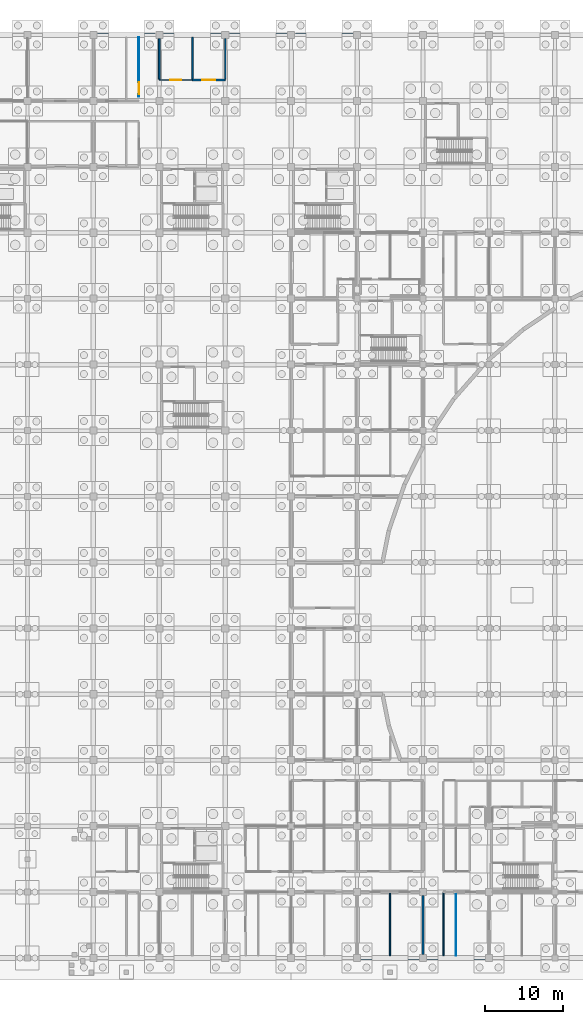
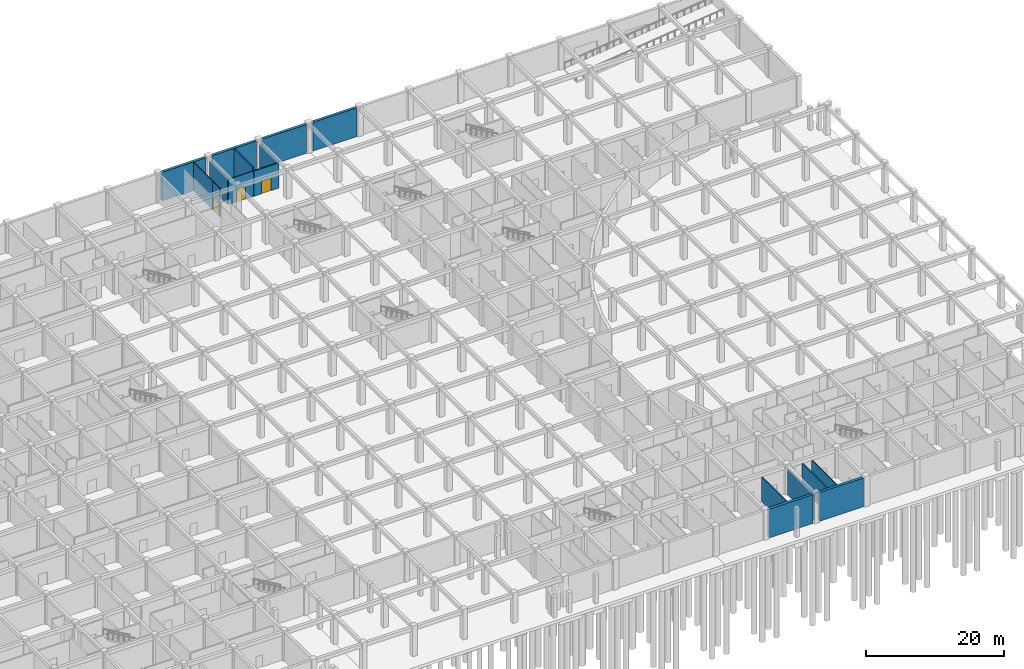
# One storey, part 44 of 65: 17 walls, 3 doors, 3 openings.
"""IFC4 building model written with IfcOpenShell, lengths in metres."""

from ifc_helpers import new_model, si_unit, direction, frame, frame_2d, origin, place, context, subcontext, project, spatial, rectangle, extrude, material, layer, layer_set, type_object, element, fill, save


model = new_model("IFC4")

# Units and contexts
model_context = context("Model", 3, precision=1e-05, world=origin(), true_north=direction((0.0, 1.0)))
body_context = subcontext(model_context, "Body", "Model", "MODEL_VIEW")
ifc_project = project(units=[si_unit("LENGTHUNIT", "METRE"), si_unit("AREAUNIT", "SQUARE_METRE"), si_unit("VOLUMEUNIT", "CUBIC_METRE"), si_unit("PLANEANGLEUNIT", "RADIAN"), si_unit("MASSUNIT", "GRAM", prefix="KILO")], contexts=[model_context])

# Site, building, storey
site_placement = place(None, origin())
site = spatial("IfcSite", under=ifc_project, at=site_placement, CompositionType="ELEMENT")
building_placement = place(site_placement, origin())
building = spatial("IfcBuilding", under=site, at=building_placement, Name="Bramfleet General Hospital", CompositionType="ELEMENT")
storey_placement = place(building_placement, frame((0.0, 0.0, -5.39990234375)))
storey = spatial("IfcBuildingStorey", under=building, at=storey_placement, Name="B1", CompositionType="ELEMENT", Elevation=-5.39990234375)

# Walls
ifc_material_1 = material(Name="Concrete C35/45", Category="concrete")
ifc_layer_1 = layer(ifc_material_1, 0.449951171875, Name="WT-EW-01")
ifc_layer_set_1 = layer_set([ifc_layer_1], Name="Concrete C35/45")
wall_type_1 = type_object("IfcWallType", Name="WT-EW-01", PredefinedType="SOLIDWALL", material=ifc_layer_set_1)
wall_1_placement = place(storey_placement, frame((92.925048828125, 117.60009765625, 0.0), z_axis=(0.0, 0.0, 1.0), x_axis=(1.0, 0.0, 0.0)))
element("IfcWall", 1, at=wall_1_placement, inside=storey, type_object=wall_type_1, Name="B1 Waterproof Retaining Wall 19", PredefinedType="SOLIDWALL", context=body_context, shape_type="SweptSolid", body=[
    extrude(rectangle(XDim=7.349853515625, YDim=0.449951171875, at=frame_2d((3.6748046875, 0.0))), origin(), (0.0, 0.0, 1.0), 5.079833984375),
])
wall_2_placement = place(storey_placement, frame((101.324951171875, 117.60009765625, 0.0), z_axis=(0.0, 0.0, 1.0), x_axis=(1.0, 0.0, 0.0)))
element("IfcWall", 2, at=wall_2_placement, inside=storey, type_object=wall_type_1, Name="B1 Waterproof Retaining Wall 20", PredefinedType="SOLIDWALL", context=body_context, shape_type="SweptSolid", body=[
    extrude(rectangle(XDim=7.35009765625, YDim=0.449951171875, at=frame_2d((3.675048828125, 0.0))), origin(), (0.0, 0.0, 1.0), 5.079833984375),
])
wall_3_placement = place(storey_placement, frame((109.72509765625, 117.60009765625, 0.0), z_axis=(0.0, 0.0, 1.0), x_axis=(1.0, 0.0, 0.0)))
element("IfcWall", 3, at=wall_3_placement, inside=storey, type_object=wall_type_1, Name="B1 Waterproof Retaining Wall 21", PredefinedType="SOLIDWALL", context=body_context, shape_type="SweptSolid", body=[
    extrude(rectangle(XDim=7.349853515625, YDim=0.449951171875, at=frame_2d((3.6748046875, 0.0))), origin(), (0.0, 0.0, 1.0), 5.079833984375),
])
wall_4_placement = place(storey_placement, frame((118.125, 117.60009765625, 0.0), z_axis=(0.0, 0.0, 1.0), x_axis=(1.0, 0.0, 0.0)))
element("IfcWall", 4, at=wall_4_placement, inside=storey, type_object=wall_type_1, Name="B1 Waterproof Retaining Wall 22", PredefinedType="SOLIDWALL", context=body_context, shape_type="SweptSolid", body=[
    extrude(rectangle(XDim=7.35009765625, YDim=0.449951171875, at=frame_2d((3.675048828125, 0.0))), origin(), (0.0, 0.0, 1.0), 5.079833984375),
])
wall_5_placement = place(storey_placement, frame((142.27490234375, 0.0, 0.0), z_axis=(0.0, 0.0, 1.0), x_axis=(-1.0, 0.0, 0.0)))
element("IfcWall", 5, at=wall_5_placement, inside=storey, type_object=wall_type_1, Name="B1 Waterproof Retaining Wall 69", PredefinedType="SOLIDWALL", context=body_context, shape_type="SweptSolid", body=[
    extrude(rectangle(XDim=7.349853515625, YDim=0.449951171875, at=frame_2d((3.6748046875, 0.0))), origin(), (0.0, 0.0, 1.0), 5.079833984375),
])
wall_6_placement = place(storey_placement, frame((133.875, 0.0, 0.0), z_axis=(0.0, 0.0, 1.0), x_axis=(-1.0, 0.0, 0.0)))
element("IfcWall", 6, at=wall_6_placement, inside=storey, type_object=wall_type_1, Name="B1 Waterproof Retaining Wall 70", PredefinedType="SOLIDWALL", context=body_context, shape_type="SweptSolid", body=[
    extrude(rectangle(XDim=7.35009765625, YDim=0.449951171875, at=frame_2d((3.675048828125, 0.0))), origin(), (0.0, 0.0, 1.0), 5.079833984375),
])

# Wall, opening, door
ifc_layer_2 = layer(ifc_material_1, 0.219970703125, Name="WT-IW-01")
ifc_layer_set_2 = layer_set([ifc_layer_2], Name="Concrete C35/45")
wall_type_2 = type_object("IfcWallType", Name="WT-IW-01", PredefinedType="PARTITIONING", material=ifc_layer_set_2)
wall_7_placement = place(storey_placement, frame((105.0, 111.85009765625, 0.0), z_axis=(0.0, 0.0, 1.0), x_axis=(1.0, 0.0, 0.0)))
wall_7 = element("IfcWall", 7, at=wall_7_placement, inside=storey, type_object=wall_type_2, Name="B1 Interior Partition IW-B1-0325", PredefinedType="PARTITIONING", context=body_context, shape_type="SweptSolid", body=[
    extrude(rectangle(XDim=4.199951171875, YDim=0.219970703125, at=frame_2d((2.10009765625, 0.0))), origin(), (0.0, 0.0, 1.0), 4.469970703125),
])
opening_1_placement = place(wall_7_placement, frame((1.300048828125, 0.0, 0.0)))
opening_1 = element("IfcOpeningElement", 8, at=opening_1_placement, cuts=wall_7, Name="Opening D0324", PredefinedType="OPENING", context=body_context, shape_type="SweptSolid", body=[
    extrude(rectangle(XDim=1.60009765625, YDim=2.25, at=frame_2d((0.800048828125, 1.125))), frame((0.0, 0.119873046875, 0.0), z_axis=(0.0, -1.0, 0.0), x_axis=(1.0, 0.0, 0.0)), (0.0, 0.0, 1.0), 0.239990234375),
])
ifc_material_2 = material(Name="Stainless steel and acoustic timber leaf", Category="steel")
door_type_1 = type_object("IfcDoorType", Name="DR-D-04", OperationType="NOTDEFINED", PredefinedType="DOOR", material=ifc_material_2)
door_1_placement = place(opening_1_placement, origin())
door_1 = element("IfcDoor", 9, at=door_1_placement, inside=storey, type_object=door_type_1, Name="Clinical Engineering Workshop B1-1213 Door D0324", OperationType="DOUBLE_SWING_LEFT", OverallHeight=2.25, OverallWidth=1.60009765625, PredefinedType="DOOR", context=body_context, shape_type="SweptSolid", body=[
    extrude(rectangle(XDim=1.60009765625, YDim=2.25, at=frame_2d((0.800048828125, 1.125))), frame((0.0, 0.02490234375, 0.0), z_axis=(0.0, -1.0, 0.0), x_axis=(1.0, 0.0, 0.0)), (0.0, 0.0, 1.0), 0.050048828125),
])
fill(opening_1, door_1)

# Walls
wall_8_placement = place(storey_placement, frame((100.800048828125, 111.965087890625, 0.0), z_axis=(0.0, 0.0, 1.0), x_axis=(0.0, 1.0, 0.0)))
element("IfcWall", 10, at=wall_8_placement, inside=storey, type_object=wall_type_2, Name="B1 Interior Partition IW-B1-0505", PredefinedType="PARTITIONING", context=body_context, shape_type="SweptSolid", body=[
    extrude(rectangle(XDim=5.18994140625, YDim=0.219970703125, at=frame_2d((2.594970703125, 0.0))), origin(), (0.0, 0.0, 1.0), 4.469970703125),
])
wall_9_placement = place(storey_placement, frame((134.39990234375, 0.445068359375, 0.0), z_axis=(0.0, 0.0, 1.0), x_axis=(0.0, 1.0, 0.0)))
element("IfcWall", 11, at=wall_9_placement, inside=storey, type_object=wall_type_2, Name="B1 Interior Partition IW-B1-0553", PredefinedType="PARTITIONING", context=body_context, shape_type="SweptSolid", body=[
    extrude(rectangle(XDim=7.510009765625, YDim=0.219970703125, at=frame_2d((3.7548828125, 0.0))), origin(), (0.0, 0.0, 1.0), 4.469970703125),
])
ifc_layer_3 = layer(ifc_material_1, 0.18994140625, Name="WT-IW-03")
ifc_layer_set_3 = layer_set([ifc_layer_3], Name="Concrete C35/45")
wall_type_3 = type_object("IfcWallType", Name="WT-IW-03", PredefinedType="PARTITIONING", material=ifc_layer_set_3)
wall_10_placement = place(storey_placement, frame((105.0, 111.965087890625, 0.0), z_axis=(0.0, 0.0, 1.0), x_axis=(0.0, 1.0, 0.0)))
element("IfcWall", 12, at=wall_10_placement, inside=storey, type_object=wall_type_3, Name="B1 Interior Partition IW-B1-0507", PredefinedType="PARTITIONING", context=body_context, shape_type="SweptSolid", body=[
    extrude(rectangle(XDim=5.35498046875, YDim=0.18994140625, at=frame_2d((2.677490234375, 0.0))), origin(), (0.0, 0.0, 1.0), 5.06982421875),
])
ifc_material_3 = material(Name="Gypsum plasterboard on acoustic steel studs", Category="steel")
ifc_layer_4 = layer(ifc_material_3, 0.169921875, Name="WT-IW-05")
ifc_layer_set_4 = layer_set([ifc_layer_4], Name="Gypsum plasterboard on acoustic steel studs")
wall_type_4 = type_object("IfcWallType", Name="WT-IW-05", PredefinedType="PARTITIONING", material=ifc_layer_set_4)
wall_11_placement = place(storey_placement, frame((109.199951171875, 111.965087890625, 0.0), z_axis=(0.0, 0.0, 1.0), x_axis=(0.0, 1.0, 0.0)))
element("IfcWall", 13, at=wall_11_placement, inside=storey, type_object=wall_type_4, Name="B1 Interior Partition IW-B1-0509", PredefinedType="PARTITIONING", context=body_context, shape_type="SweptSolid", body=[
    extrude(rectangle(XDim=5.18994140625, YDim=0.169921875, at=frame_2d((2.594970703125, 0.0))), origin(), (0.0, 0.0, 1.0), 4.469970703125),
])
wall_12_placement = place(storey_placement, frame((130.199951171875, 0.280029296875, 0.0), z_axis=(0.0, 0.0, 1.0), x_axis=(0.0, 1.0, 0.0)))
element("IfcWall", 14, at=wall_12_placement, inside=storey, type_object=wall_type_4, Name="B1 Interior Partition IW-B1-0545", PredefinedType="PARTITIONING", context=body_context, shape_type="SweptSolid", body=[
    extrude(rectangle(XDim=8.0048828125, YDim=0.169921875, at=frame_2d((4.00244140625, 0.0))), origin(), (0.0, 0.0, 1.0), 4.419921875),
])
ifc_layer_5 = layer(ifc_material_3, 0.159912109375, Name="WT-IW-06")
ifc_layer_set_5 = layer_set([ifc_layer_5], Name="Gypsum plasterboard on acoustic steel studs")
wall_type_5 = type_object("IfcWallType", Name="WT-IW-06", PredefinedType="PARTITIONING", material=ifc_layer_set_5)
wall_13_placement = place(storey_placement, frame((137.0, 0.280029296875, 0.0), z_axis=(0.0, 0.0, 1.0), x_axis=(0.0, 1.0, 0.0)))
element("IfcWall", 15, at=wall_13_placement, inside=storey, type_object=wall_type_5, Name="B1 Interior Partition IW-B1-0558", PredefinedType="PARTITIONING", context=body_context, shape_type="SweptSolid", body=[
    extrude(rectangle(XDim=8.0048828125, YDim=0.159912109375, at=frame_2d((4.00244140625, 0.0))), origin(), (0.0, 0.0, 1.0), 4.419921875),
])

# Wall, opening, door
ifc_layer_6 = layer(ifc_material_3, 0.1201171875, Name="WT-IW-10")
ifc_layer_set_6 = layer_set([ifc_layer_6], Name="Gypsum plasterboard on acoustic steel studs")
wall_type_6 = type_object("IfcWallType", Name="WT-IW-10", PredefinedType="PARTITIONING", material=ifc_layer_set_6)
wall_14_placement = place(storey_placement, frame((98.199951171875, 109.75, 0.0), z_axis=(0.0, 0.0, 1.0), x_axis=(0.0, 1.0, 0.0)))
wall_14 = element("IfcWall", 16, at=wall_14_placement, inside=storey, type_object=wall_type_6, Name="B1 Interior Partition IW-B1-0502", PredefinedType="PARTITIONING", context=body_context, shape_type="SweptSolid", body=[
    extrude(rectangle(XDim=2.10009765625, YDim=0.1201171875, at=frame_2d((1.050048828125, 0.0))), origin(), (0.0, 0.0, 1.0), 5.06982421875),
])
opening_2_placement = place(wall_14_placement, frame((0.260009765625, 0.0, 0.0)))
opening_2 = element("IfcOpeningElement", 17, at=opening_2_placement, cuts=wall_14, Name="Opening D0320", PredefinedType="OPENING", context=body_context, shape_type="SweptSolid", body=[
    extrude(rectangle(XDim=1.580078125, YDim=2.219970703125, at=frame_2d((0.7900390625, 1.10986328125))), frame((0.0, 0.070068359375, 0.0), z_axis=(0.0, -1.0, 0.0), x_axis=(1.0, 0.0, 0.0)), (0.0, 0.0, 1.0), 0.14013671875),
])
door_type_2 = type_object("IfcDoorType", Name="DR-D-32", OperationType="NOTDEFINED", PredefinedType="DOOR", material=ifc_material_2)
door_2_placement = place(opening_2_placement, origin())
door_2 = element("IfcDoor", 18, at=door_2_placement, inside=storey, type_object=door_type_2, Name="Clinical Engineering Workshop B1-1113 Door D0320", OperationType="DOUBLE_SWING_LEFT", OverallHeight=2.219970703125, OverallWidth=1.580078125, PredefinedType="DOOR", context=body_context, shape_type="SweptSolid", body=[
    extrude(rectangle(XDim=1.580078125, YDim=2.219970703125, at=frame_2d((0.7900390625, 1.10986328125))), frame((0.0, 0.02490234375, 0.0), z_axis=(0.0, -1.0, 0.0), x_axis=(1.0, 0.0, 0.0)), (0.0, 0.0, 1.0), 0.050048828125),
])
fill(opening_2, door_2)

# Walls
ifc_layer_7 = layer(ifc_material_3, 0.112060546875, Name="WT-IW-11")
ifc_layer_set_7 = layer_set([ifc_layer_7], Name="Gypsum plasterboard on acoustic steel studs")
wall_type_7 = type_object("IfcWallType", Name="WT-IW-11", PredefinedType="PARTITIONING", material=ifc_layer_set_7)
wall_15_placement = place(storey_placement, frame((98.199951171875, 111.85009765625, 0.0), z_axis=(0.0, 0.0, 1.0), x_axis=(0.0, 1.0, 0.0)))
element("IfcWall", 19, at=wall_15_placement, inside=storey, type_object=wall_type_7, Name="B1 Interior Partition IW-B1-0503", PredefinedType="PARTITIONING", context=body_context, shape_type="SweptSolid", body=[
    extrude(rectangle(XDim=5.469970703125, YDim=0.112060546875, at=frame_2d((2.73486328125, 0.0))), origin(), (0.0, 0.0, 1.0), 5.06982421875),
])
wall_16_placement = place(storey_placement, frame((138.60009765625, 0.280029296875, 0.0), z_axis=(0.0, 0.0, 1.0), x_axis=(0.0, 1.0, 0.0)))
element("IfcWall", 20, at=wall_16_placement, inside=storey, type_object=wall_type_7, Name="B1 Interior Partition IW-B1-0563", PredefinedType="PARTITIONING", context=body_context, shape_type="SweptSolid", body=[
    extrude(rectangle(XDim=8.0048828125, YDim=0.112060546875, at=frame_2d((4.00244140625, 0.0))), origin(), (0.0, 0.0, 1.0), 4.419921875),
])

# Wall, opening, door
ifc_layer_8 = layer(ifc_material_3, 0.10009765625, Name="WT-IW-12")
ifc_layer_set_8 = layer_set([ifc_layer_8], Name="Gypsum plasterboard on acoustic steel studs")
wall_type_8 = type_object("IfcWallType", Name="WT-IW-12", PredefinedType="PARTITIONING", material=ifc_layer_set_8)
wall_17_placement = place(storey_placement, frame((100.800048828125, 111.85009765625, 0.0), z_axis=(0.0, 0.0, 1.0), x_axis=(1.0, 0.0, 0.0)))
wall_17 = element("IfcWall", 21, at=wall_17_placement, inside=storey, type_object=wall_type_8, Name="B1 Interior Partition IW-B1-0324", PredefinedType="PARTITIONING", context=body_context, shape_type="SweptSolid", body=[
    extrude(rectangle(XDim=4.199951171875, YDim=0.10009765625, at=frame_2d((2.10009765625, 0.0))), origin(), (0.0, 0.0, 1.0), 4.469970703125),
])
opening_3_placement = place(wall_17_placement, frame((1.375, 0.0, 0.0)))
opening_3 = element("IfcOpeningElement", 22, at=opening_3_placement, cuts=wall_17, Name="Opening D0323", PredefinedType="OPENING", context=body_context, shape_type="SweptSolid", body=[
    extrude(rectangle(XDim=1.449951171875, YDim=2.199951171875, at=frame_2d((0.72509765625, 1.10009765625))), frame((0.0, 0.06005859375, 0.0), z_axis=(0.0, -1.0, 0.0), x_axis=(1.0, 0.0, 0.0)), (0.0, 0.0, 1.0), 0.1201171875),
])
door_type_3 = type_object("IfcDoorType", Name="DR-D-03", OperationType="NOTDEFINED", PredefinedType="DOOR", material=ifc_material_2)
door_3_placement = place(opening_3_placement, origin())
door_3 = element("IfcDoor", 23, at=door_3_placement, inside=storey, type_object=door_type_3, Name="Clean Medical Supply Store B1-1213 Door D0323", OperationType="SINGLE_SWING_RIGHT", OverallHeight=2.199951171875, OverallWidth=1.449951171875, PredefinedType="DOOR", context=body_context, shape_type="SweptSolid", body=[
    extrude(rectangle(XDim=1.449951171875, YDim=2.199951171875, at=frame_2d((0.72509765625, 1.10009765625))), frame((0.0, 0.02490234375, 0.0), z_axis=(0.0, -1.0, 0.0), x_axis=(1.0, 0.0, 0.0)), (0.0, 0.0, 1.0), 0.050048828125),
])
fill(opening_3, door_3)

save(model, "model.ifc")
